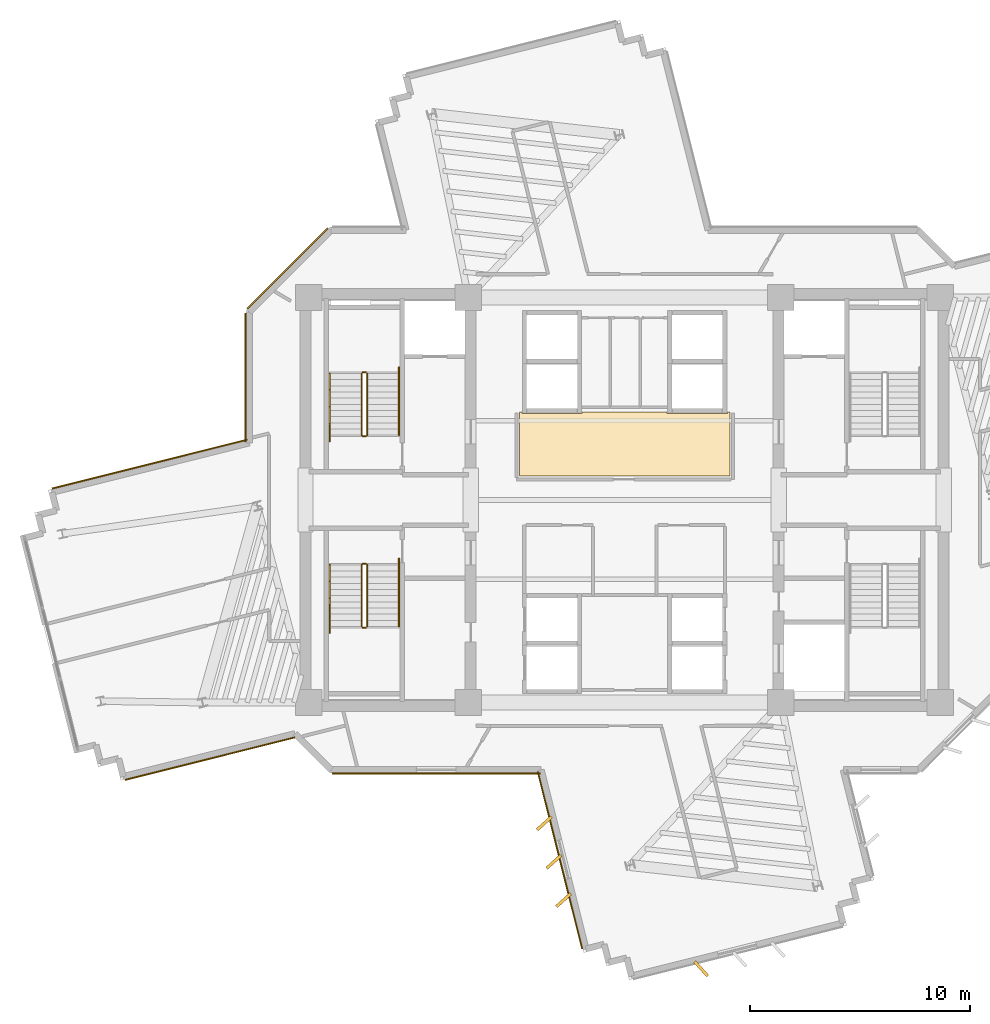
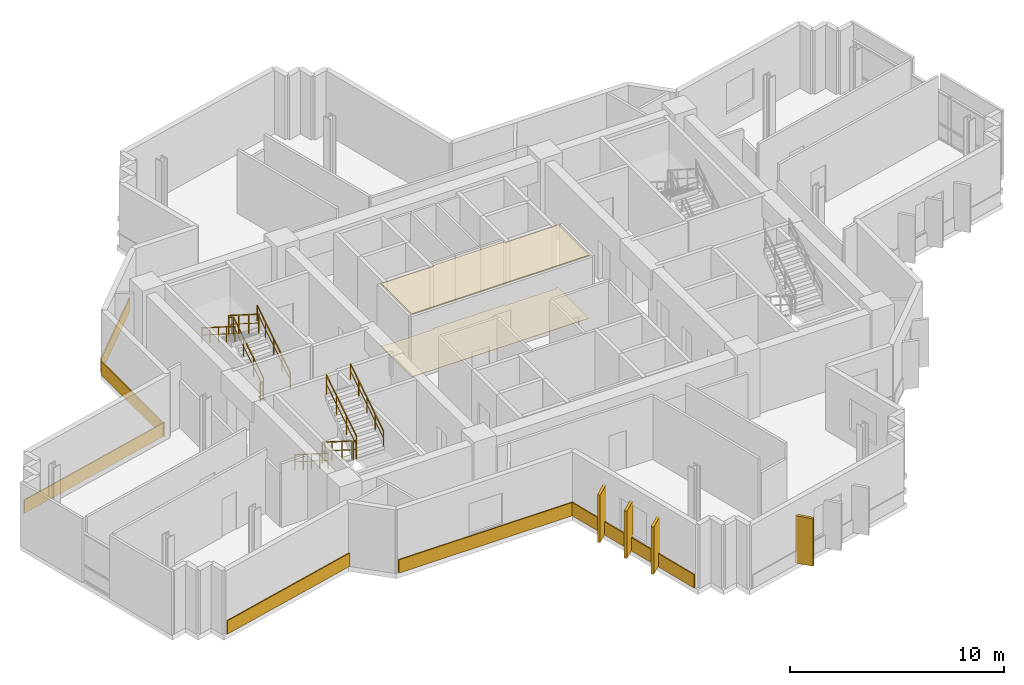
# One storey, part 11 of 13: 12 coverings, 12 railings.
"""IFC4 building model written with IfcOpenShell, lengths in metres."""

from ifc_helpers import new_model, si_unit, direction, frame, origin, origin_2d, place, context, subcontext, project, spatial, polyline, rectangle, outline, extrude, source, transform, mapped, material, layer, layer_set, type_object, element, save


model = new_model("IFC4")

# Units and contexts
model_context = context("Model", 3, precision=1e-05, world=origin(), true_north=direction((0.0, 1.0)))
body_context = subcontext(model_context, "Body", "Model", "MODEL_VIEW")
ifc_project = project(units=[si_unit("LENGTHUNIT", "METRE"), si_unit("AREAUNIT", "SQUARE_METRE"), si_unit("VOLUMEUNIT", "CUBIC_METRE"), si_unit("PLANEANGLEUNIT", "RADIAN"), si_unit("MASSUNIT", "GRAM", prefix="KILO")], contexts=[model_context])

# Site, building, storey
site_placement = place(None, origin())
site = spatial("IfcSite", under=ifc_project, at=site_placement, CompositionType="ELEMENT")
building_placement = place(site_placement, origin())
building = spatial("IfcBuilding", under=site, at=building_placement, Name="Zahravan Cultural Tower", CompositionType="ELEMENT")
storey_placement = place(building_placement, frame((0.0, 0.0, 186.300048828125)))
storey = spatial("IfcBuildingStorey", under=building, at=storey_placement, Name="L43", CompositionType="ELEMENT", Elevation=186.300048828125)

# Coverings
ifc_material_1 = material(Name="Acoustic mineral fibreboard")
ifc_layer_1 = layer(ifc_material_1, 0.0400390625)
ifc_layer_set_1 = layer_set([ifc_layer_1], Name="Acoustic mineral fibreboard")
covering_type_1 = type_object("IfcCoveringType", Name="COV-CEIL-AC20", PredefinedType="CEILING", material=ifc_layer_set_1)
covering_1_placement = place(storey_placement, frame((0.0, 0.0, 3.579833984375)))
element("IfcCovering", 1, at=covering_1_placement, inside=storey, type_object=covering_type_1, Name="L43 Acoustic Suspended Ceiling", PredefinedType="CEILING", context=body_context, shape_type="SweptSolid", body=[
    extrude(outline(polyline([(31.219970703125, 31.0), (31.219970703125, 28.080078125), (40.780029296875, 28.080078125), (40.780029296875, 31.0), (40.669921875, 31.0), (40.669921875, 30.929931640625), (37.929931640625, 30.929931640625), (37.929931640625, 31.0), (34.070068359375, 31.0), (34.070068359375, 30.929931640625), (31.330078125, 30.929931640625), (31.330078125, 31.0), (31.219970703125, 31.0)])), origin(), (0.0, 0.0, 1.0), 0.0400390625),
])
ifc_material_2 = material(Name="Terrazzo flooring")
ifc_layer_2 = layer(ifc_material_2, 0.02490234375)
ifc_layer_set_2 = layer_set([ifc_layer_2], Name="Terrazzo flooring")
covering_type_2 = type_object("IfcCoveringType", Name="COV-FLR-TZ25", PredefinedType="FLOORING", material=ifc_layer_set_2)
covering_2_placement = place(storey_placement, origin())
element("IfcCovering", 2, at=covering_2_placement, inside=storey, type_object=covering_type_2, Name="L43 Polished Terrazzo Flooring", PredefinedType="FLOORING", context=body_context, shape_type="SweptSolid", body=[
    extrude(outline(polyline([(31.219970703125, 31.0), (31.219970703125, 28.080078125), (40.780029296875, 28.080078125), (40.780029296875, 31.0), (40.669921875, 31.0), (40.669921875, 30.929931640625), (37.929931640625, 30.929931640625), (37.929931640625, 31.0), (34.070068359375, 31.0), (34.070068359375, 30.929931640625), (31.330078125, 30.929931640625), (31.330078125, 31.0), (31.219970703125, 31.0)])), origin(), (0.0, 0.0, 1.0), 0.02490234375),
])

# Railings
ifc_material_3 = material(Name="Steel ASTM A572 Grade 50", Category="steel")
railing_type_1 = type_object("IfcRailingType", Name="RL-STAIR-GRD1150", PredefinedType="BALUSTRADE", material=ifc_material_3)
railing_1_placement = place(storey_placement, frame((24.300048828125, 29.949951171875, 0.17724609375)))
element("IfcRailing", 3, at=railing_1_placement, inside=storey, type_object=railing_type_1, Name="L43 ST-W1 stair guard 1", PredefinedType="BALUSTRADE", context=body_context, shape_type="SweptSolid", body=[
    extrude(rectangle(XDim=0.05, YDim=0.05, at=origin_2d()), frame((0.0, 0.0, 1.0751953125), z_axis=(0.0, 0.844908973607, 0.534910110503), x_axis=(-1.0, 0.0, 0.0)), (0.0, 0.0, 1.0), 3.31396484375),
    extrude(rectangle(XDim=0.032, YDim=0.032, at=origin_2d()), frame((0.0, 0.0, 0.572021484375), z_axis=(0.0, 0.844908973607, 0.534910110503), x_axis=(-1.0, 0.0, 0.0)), (0.0, 0.0, 1.0), 3.31396484375),
    extrude(rectangle(XDim=0.04, YDim=0.04, at=origin_2d()), origin(), (0.0, 0.0, 1.0), 1.10009765625),
    extrude(rectangle(XDim=0.04, YDim=0.04, at=origin_2d()), frame((0.0, 0.933349609375, 0.5908203125)), (0.0, 0.0, 1.0), 1.10009765625),
    extrude(rectangle(XDim=0.04, YDim=0.04, at=origin_2d()), frame((0.0, 1.86669921875, 1.181884765625)), (0.0, 0.0, 1.0), 1.10009765625),
    extrude(rectangle(XDim=0.04, YDim=0.04, at=origin_2d()), frame((0.0, 2.800048828125, 1.772705078125)), (0.0, 0.0, 1.0), 1.10009765625),
])
railing_2_placement = place(storey_placement, frame((24.25, 32.800048828125, 1.949951171875)))
element("IfcRailing", 4, at=railing_2_placement, inside=storey, type_object=railing_type_1, Name="L43 ST-W1 stair guard 2", PredefinedType="BALUSTRADE", context=body_context, shape_type="SweptSolid", body=[
    extrude(rectangle(XDim=0.05, YDim=0.05, at=origin_2d()), frame((0.0, 0.0, 1.0751953125), z_axis=(-1.0, 0.0, 0.0), x_axis=(0.0, -1.0, 0.0)), (0.0, 0.0, 1.0), 0.14990234375),
    extrude(rectangle(XDim=0.032, YDim=0.032, at=origin_2d()), frame((0.0, 0.0, 0.572021484375), z_axis=(-1.0, 0.0, 0.0), x_axis=(0.0, -1.0, 0.0)), (0.0, 0.0, 1.0), 0.14990234375),
    extrude(rectangle(XDim=0.04, YDim=0.04, at=origin_2d()), origin(), (0.0, 0.0, 1.0), 1.10009765625),
    extrude(rectangle(XDim=0.04, YDim=0.04, at=origin_2d()), frame((-0.14990234375, 0.0, 0.0)), (0.0, 0.0, 1.0), 1.10009765625),
])
railing_3_placement = place(storey_placement, frame((24.050048828125, 32.75, 2.127197265625)))
element("IfcRailing", 5, at=railing_3_placement, inside=storey, type_object=railing_type_1, Name="L43 ST-W1 stair guard 3", PredefinedType="BALUSTRADE", context=body_context, shape_type="SweptSolid", body=[
    extrude(rectangle(XDim=0.05, YDim=0.05, at=origin_2d()), frame((0.0, 0.0, 1.0751953125), z_axis=(0.0, -0.844908973607, 0.534910110503), x_axis=(1.0, 0.0, 0.0)), (0.0, 0.0, 1.0), 3.31396484375),
    extrude(rectangle(XDim=0.032, YDim=0.032, at=origin_2d()), frame((0.0, 0.0, 0.572021484375), z_axis=(0.0, -0.844908973607, 0.534910110503), x_axis=(1.0, 0.0, 0.0)), (0.0, 0.0, 1.0), 3.31396484375),
    extrude(rectangle(XDim=0.04, YDim=0.04, at=origin_2d()), origin(), (0.0, 0.0, 1.0), 1.10009765625),
    extrude(rectangle(XDim=0.04, YDim=0.04, at=origin_2d()), frame((0.0, -0.933349609375, 0.5908203125)), (0.0, 0.0, 1.0), 1.10009765625),
    extrude(rectangle(XDim=0.04, YDim=0.04, at=origin_2d()), frame((0.0, -1.86669921875, 1.181884765625)), (0.0, 0.0, 1.0), 1.10009765625),
    extrude(rectangle(XDim=0.04, YDim=0.04, at=origin_2d()), frame((0.0, -2.800048828125, 1.772705078125)), (0.0, 0.0, 1.0), 1.10009765625),
])
railing_4_placement = place(storey_placement, frame((24.25, 29.89990234375, 0.0)))
element("IfcRailing", 6, at=railing_4_placement, inside=storey, type_object=railing_type_1, Name="L43 ST-W1 stair guard 4", PredefinedType="BALUSTRADE", context=body_context, shape_type="SweptSolid", body=[
    extrude(rectangle(XDim=0.05, YDim=0.05, at=origin_2d()), frame((0.0, 0.0, 1.0751953125), z_axis=(-1.0, 0.0, 0.0), x_axis=(0.0, -1.0, 0.0)), (0.0, 0.0, 1.0), 0.14990234375),
    extrude(rectangle(XDim=0.032, YDim=0.032, at=origin_2d()), frame((0.0, 0.0, 0.572021484375), z_axis=(-1.0, 0.0, 0.0), x_axis=(0.0, -1.0, 0.0)), (0.0, 0.0, 1.0), 0.14990234375),
    extrude(rectangle(XDim=0.04, YDim=0.04, at=origin_2d()), origin(), (0.0, 0.0, 1.0), 1.10009765625),
    extrude(rectangle(XDim=0.04, YDim=0.04, at=origin_2d()), frame((-0.14990234375, 0.0, 0.0)), (0.0, 0.0, 1.0), 1.10009765625),
])
railing_5_placement = place(storey_placement, frame((24.050048828125, 24.050048828125, 0.17724609375)))
element("IfcRailing", 7, at=railing_5_placement, inside=storey, type_object=railing_type_1, Name="L43 ST-W2 stair guard 1", PredefinedType="BALUSTRADE", context=body_context, shape_type="SweptSolid", body=[
    extrude(rectangle(XDim=0.05, YDim=0.05, at=origin_2d()), frame((0.0, 0.0, 1.0751953125), z_axis=(0.0, -0.844908973607, 0.534910110503), x_axis=(1.0, 0.0, 0.0)), (0.0, 0.0, 1.0), 3.31396484375),
    extrude(rectangle(XDim=0.032, YDim=0.032, at=origin_2d()), frame((0.0, 0.0, 0.572021484375), z_axis=(0.0, -0.844908973607, 0.534910110503), x_axis=(1.0, 0.0, 0.0)), (0.0, 0.0, 1.0), 3.31396484375),
    extrude(rectangle(XDim=0.04, YDim=0.04, at=origin_2d()), origin(), (0.0, 0.0, 1.0), 1.10009765625),
    extrude(rectangle(XDim=0.04, YDim=0.04, at=origin_2d()), frame((0.0, -0.933349609375, 0.5908203125)), (0.0, 0.0, 1.0), 1.10009765625),
    extrude(rectangle(XDim=0.04, YDim=0.04, at=origin_2d()), frame((0.0, -1.86669921875, 1.181884765625)), (0.0, 0.0, 1.0), 1.10009765625),
    extrude(rectangle(XDim=0.04, YDim=0.04, at=origin_2d()), frame((0.0, -2.800048828125, 1.772705078125)), (0.0, 0.0, 1.0), 1.10009765625),
])
railing_6_placement = place(storey_placement, frame((24.10009765625, 21.199951171875, 1.949951171875)))
element("IfcRailing", 8, at=railing_6_placement, inside=storey, type_object=railing_type_1, Name="L43 ST-W2 stair guard 2", PredefinedType="BALUSTRADE", context=body_context, shape_type="SweptSolid", body=[
    extrude(rectangle(XDim=0.05, YDim=0.05, at=origin_2d()), frame((0.0, 0.0, 1.0751953125), z_axis=(1.0, 0.0, 0.0), x_axis=(0.0, 1.0, 0.0)), (0.0, 0.0, 1.0), 0.14990234375),
    extrude(rectangle(XDim=0.032, YDim=0.032, at=origin_2d()), frame((0.0, 0.0, 0.572021484375), z_axis=(1.0, 0.0, 0.0), x_axis=(0.0, 1.0, 0.0)), (0.0, 0.0, 1.0), 0.14990234375),
    extrude(rectangle(XDim=0.04, YDim=0.04, at=origin_2d()), origin(), (0.0, 0.0, 1.0), 1.10009765625),
    extrude(rectangle(XDim=0.04, YDim=0.04, at=origin_2d()), frame((0.14990234375, 0.0, 0.0)), (0.0, 0.0, 1.0), 1.10009765625),
])
railing_7_placement = place(storey_placement, frame((24.300048828125, 21.25, 2.127197265625)))
element("IfcRailing", 9, at=railing_7_placement, inside=storey, type_object=railing_type_1, Name="L43 ST-W2 stair guard 3", PredefinedType="BALUSTRADE", context=body_context, shape_type="SweptSolid", body=[
    extrude(rectangle(XDim=0.05, YDim=0.05, at=origin_2d()), frame((0.0, 0.0, 1.0751953125), z_axis=(0.0, 0.844908973607, 0.534910110503), x_axis=(-1.0, 0.0, 0.0)), (0.0, 0.0, 1.0), 3.31396484375),
    extrude(rectangle(XDim=0.032, YDim=0.032, at=origin_2d()), frame((0.0, 0.0, 0.572021484375), z_axis=(0.0, 0.844908973607, 0.534910110503), x_axis=(-1.0, 0.0, 0.0)), (0.0, 0.0, 1.0), 3.31396484375),
    extrude(rectangle(XDim=0.04, YDim=0.04, at=origin_2d()), origin(), (0.0, 0.0, 1.0), 1.10009765625),
    extrude(rectangle(XDim=0.04, YDim=0.04, at=origin_2d()), frame((0.0, 0.933349609375, 0.5908203125)), (0.0, 0.0, 1.0), 1.10009765625),
    extrude(rectangle(XDim=0.04, YDim=0.04, at=origin_2d()), frame((0.0, 1.86669921875, 1.181884765625)), (0.0, 0.0, 1.0), 1.10009765625),
    extrude(rectangle(XDim=0.04, YDim=0.04, at=origin_2d()), frame((0.0, 2.800048828125, 1.772705078125)), (0.0, 0.0, 1.0), 1.10009765625),
])
railing_8_placement = place(storey_placement, frame((24.10009765625, 24.10009765625, 0.0)))
element("IfcRailing", 10, at=railing_8_placement, inside=storey, type_object=railing_type_1, Name="L43 ST-W2 stair guard 4", PredefinedType="BALUSTRADE", context=body_context, shape_type="SweptSolid", body=[
    extrude(rectangle(XDim=0.05, YDim=0.05, at=origin_2d()), frame((0.0, 0.0, 1.0751953125), z_axis=(1.0, 0.0, 0.0), x_axis=(0.0, 1.0, 0.0)), (0.0, 0.0, 1.0), 0.14990234375),
    extrude(rectangle(XDim=0.032, YDim=0.032, at=origin_2d()), frame((0.0, 0.0, 0.572021484375), z_axis=(1.0, 0.0, 0.0), x_axis=(0.0, 1.0, 0.0)), (0.0, 0.0, 1.0), 0.14990234375),
    extrude(rectangle(XDim=0.04, YDim=0.04, at=origin_2d()), origin(), (0.0, 0.0, 1.0), 1.10009765625),
    extrude(rectangle(XDim=0.04, YDim=0.04, at=origin_2d()), frame((0.14990234375, 0.0, 0.0)), (0.0, 0.0, 1.0), 1.10009765625),
])
railing_type_2 = type_object("IfcRailingType", Name="RL-STAIR-HR900", PredefinedType="HANDRAIL", material=ifc_material_3)
railing_9_placement = place(storey_placement, frame((25.75, 29.949951171875, 0.17724609375)))
element("IfcRailing", 11, at=railing_9_placement, inside=storey, type_object=railing_type_2, Name="L43 ST-W1 stair handrail 1", PredefinedType="HANDRAIL", context=body_context, shape_type="SweptSolid", body=[
    extrude(rectangle(XDim=0.05, YDim=0.05, at=origin_2d()), frame((0.0, 0.0, 0.875), z_axis=(0.0, 0.844913916606, 0.534902302785), x_axis=(-1.0, 0.0, 0.0)), (0.0, 0.0, 1.0), 3.6455078125),
    extrude(rectangle(XDim=0.032, YDim=0.032, at=origin_2d()), frame((0.0, 0.0, 0.468017578125), z_axis=(0.0, 0.844913916606, 0.534902302785), x_axis=(-1.0, 0.0, 0.0)), (0.0, 0.0, 1.0), 3.6455078125),
    extrude(rectangle(XDim=0.04, YDim=0.04, at=origin_2d()), origin(), (0.0, 0.0, 1.0), 0.89990234375),
    extrude(rectangle(XDim=0.04, YDim=0.04, at=origin_2d()), frame((0.0, 0.77001953125, 0.487548828125)), (0.0, 0.0, 1.0), 0.89990234375),
    extrude(rectangle(XDim=0.04, YDim=0.04, at=origin_2d()), frame((0.0, 1.5400390625, 0.97509765625)), (0.0, 0.0, 1.0), 0.89990234375),
    extrude(rectangle(XDim=0.04, YDim=0.04, at=origin_2d()), frame((0.0, 2.31005859375, 1.46240234375)), (0.0, 0.0, 1.0), 0.89990234375),
    extrude(rectangle(XDim=0.04, YDim=0.04, at=origin_2d()), frame((0.0, 3.080078125, 1.949951171875)), (0.0, 0.0, 1.0), 0.89990234375),
])
for number, where, name in (
    (12, (22.60009765625, 32.75, 2.127197265625), "L43 ST-W1 stair handrail 2"),
    (13, (22.60009765625, 24.050048828125, 0.17724609375), "L43 ST-W2 stair handrail 1"),
):
    element("IfcRailing", number, at=place(storey_placement, frame(where)), inside=storey, type_object=railing_type_2, Name=name, PredefinedType="HANDRAIL", context=body_context, shape_type="SweptSolid", body=[
        extrude(rectangle(XDim=0.05, YDim=0.05, at=origin_2d()), frame((0.0, 0.0, 0.875), z_axis=(0.0, -0.844913916606, 0.534902302785), x_axis=(1.0, 0.0, 0.0)), (0.0, 0.0, 1.0), 3.6455078125),
        extrude(rectangle(XDim=0.032, YDim=0.032, at=origin_2d()), frame((0.0, 0.0, 0.468017578125), z_axis=(0.0, -0.844913916606, 0.534902302785), x_axis=(1.0, 0.0, 0.0)), (0.0, 0.0, 1.0), 3.6455078125),
        extrude(rectangle(XDim=0.04, YDim=0.04, at=origin_2d()), origin(), (0.0, 0.0, 1.0), 0.89990234375),
        extrude(rectangle(XDim=0.04, YDim=0.04, at=origin_2d()), frame((0.0, -0.77001953125, 0.487548828125)), (0.0, 0.0, 1.0), 0.89990234375),
        extrude(rectangle(XDim=0.04, YDim=0.04, at=origin_2d()), frame((0.0, -1.5400390625, 0.97509765625)), (0.0, 0.0, 1.0), 0.89990234375),
        extrude(rectangle(XDim=0.04, YDim=0.04, at=origin_2d()), frame((0.0, -2.31005859375, 1.46240234375)), (0.0, 0.0, 1.0), 0.89990234375),
        extrude(rectangle(XDim=0.04, YDim=0.04, at=origin_2d()), frame((0.0, -3.080078125, 1.949951171875)), (0.0, 0.0, 1.0), 0.89990234375),
    ])
railing_10_placement = place(storey_placement, frame((25.75, 21.25, 2.127197265625)))
element("IfcRailing", 14, at=railing_10_placement, inside=storey, type_object=railing_type_2, Name="L43 ST-W2 stair handrail 2", PredefinedType="HANDRAIL", context=body_context, shape_type="SweptSolid", body=[
    extrude(rectangle(XDim=0.05, YDim=0.05, at=origin_2d()), frame((0.0, 0.0, 0.875), z_axis=(0.0, 0.844913916606, 0.534902302785), x_axis=(-1.0, 0.0, 0.0)), (0.0, 0.0, 1.0), 3.6455078125),
    extrude(rectangle(XDim=0.032, YDim=0.032, at=origin_2d()), frame((0.0, 0.0, 0.468017578125), z_axis=(0.0, 0.844913916606, 0.534902302785), x_axis=(-1.0, 0.0, 0.0)), (0.0, 0.0, 1.0), 3.6455078125),
    extrude(rectangle(XDim=0.04, YDim=0.04, at=origin_2d()), origin(), (0.0, 0.0, 1.0), 0.89990234375),
    extrude(rectangle(XDim=0.04, YDim=0.04, at=origin_2d()), frame((0.0, 0.77001953125, 0.487548828125)), (0.0, 0.0, 1.0), 0.89990234375),
    extrude(rectangle(XDim=0.04, YDim=0.04, at=origin_2d()), frame((0.0, 1.5400390625, 0.97509765625)), (0.0, 0.0, 1.0), 0.89990234375),
    extrude(rectangle(XDim=0.04, YDim=0.04, at=origin_2d()), frame((0.0, 2.31005859375, 1.46240234375)), (0.0, 0.0, 1.0), 0.89990234375),
    extrude(rectangle(XDim=0.04, YDim=0.04, at=origin_2d()), frame((0.0, 3.080078125, 1.949951171875)), (0.0, 0.0, 1.0), 0.89990234375),
])

# Coverings
ifc_material_4 = material(Name="Terracotta ceramic cladding", Category="masonry")
ifc_layer_3 = layer(ifc_material_4, 0.06005859375)
ifc_layer_set_3 = layer_set([ifc_layer_3], Name="Terracotta ceramic cladding")
covering_type_3 = type_object("IfcCoveringType", Name="COV-CLAD-TC60", PredefinedType="CLADDING", material=ifc_layer_set_3)
shared_shape_1 = source(origin(), body_context, "Body", "SweptSolid", [
    extrude(rectangle(XDim=5.157958984375, YDim=0.06005859375, at=origin_2d()), origin(), (0.0, 0.0, 1.0), 0.760009765625),
])
covering_3_placement = place(storey_placement, frame((20.682373046875, 37.517578125, 0.02001953125), z_axis=(0.0, 0.0, 1.0), x_axis=(0.707106781187, 0.707106781187, 0.0)))
element("IfcCovering", 15, at=covering_3_placement, inside=storey, type_object=covering_type_3, Name="L43 Terracotta Spandrel Cladding 38", PredefinedType="CLADDING", context=body_context, shape_type="MappedRepresentation", body=[
    mapped(shared_shape_1, transform((0.0, 0.0, 0.0), x_axis=(1.0, 0.0, 0.0), y_axis=(0.0, 1.0, 0.0), z_axis=(0.0, 0.0, 1.0), scale=1.0)),
])
shared_shape_2 = source(origin(), body_context, "Body", "SweptSolid", [
    extrude(rectangle(XDim=0.8798828125, YDim=0.139892578125, at=origin_2d()), origin(), (0.0, 0.0, 1.0), 2.699951171875),
])
for number, where, z_axis, x_axis, name in (
    (16, (39.4794921875, 5.697021484375, 0.0498046875), (0.0, 0.0, 1.0), (0.669908458766, -0.742443706198, 0.0), "L43 Herringbone Terracotta Fin 15"),
    (17, (33.224609375, 8.815673828125, 0.0498046875), (0.0, 0.0, 1.0), (-0.742455398194, -0.669895500577, 0.0), "L43 Herringbone Terracotta Fin 16"),
    (18, (32.787353515625, 10.561767578125, 0.0498046875), (0.0, 0.0, 1.0), (-0.742455398194, -0.669895500577, 0.0), "L43 Herringbone Terracotta Fin 17"),
    (19, (32.35009765625, 12.307861328125, 0.0498046875), (0.0, 0.0, 1.0), (-0.742455398194, -0.669895500577, 0.0), "L43 Herringbone Terracotta Fin 18"),
):
    element("IfcCovering", number, at=place(storey_placement, frame(where, z_axis=z_axis, x_axis=x_axis)), inside=storey, type_object=covering_type_3, Name=name, PredefinedType="CLADDING", context=body_context, shape_type="MappedRepresentation", body=[
        mapped(shared_shape_2, transform((0.0, 0.0, 0.0), x_axis=(1.0, 0.0, 0.0), y_axis=(0.0, 1.0, 0.0), z_axis=(0.0, 0.0, 1.0), scale=1.0)),
    ])
shared_shape_3 = source(origin(), body_context, "Body", "SweptSolid", [
    extrude(rectangle(XDim=7.945556640625, YDim=0.06005859375, at=origin_2d()), origin(), (0.0, 0.0, 1.0), 0.760009765625),
])
covering_4_placement = place(storey_placement, frame((17.154052734375, 15.244384765625, 0.02001953125), z_axis=(0.0, 0.0, 1.0), x_axis=(-0.970041854282, -0.242937854074, 0.0)))
element("IfcCovering", 20, at=covering_4_placement, inside=storey, type_object=covering_type_3, Name="L43 Terracotta Spandrel Cladding 27", PredefinedType="CLADDING", context=body_context, shape_type="MappedRepresentation", body=[
    mapped(shared_shape_3, transform((0.0, 0.0, 0.0), x_axis=(1.0, 0.0, 0.0), y_axis=(0.0, 1.0, 0.0), z_axis=(0.0, 0.0, 1.0), scale=1.0)),
])
shared_shape_4 = source(origin(), body_context, "Body", "SweptSolid", [
    extrude(rectangle(XDim=9.14111328125, YDim=0.06005859375, at=origin_2d()), origin(), (0.0, 0.0, 1.0), 0.760009765625),
])
covering_5_placement = place(storey_placement, frame((14.417724609375, 28.630615234375, 0.02001953125), z_axis=(0.0, 0.0, 1.0), x_axis=(0.970046094199, 0.242920923613, 0.0)))
element("IfcCovering", 21, at=covering_5_placement, inside=storey, type_object=covering_type_3, Name="L43 Terracotta Spandrel Cladding 36", PredefinedType="CLADDING", context=body_context, shape_type="MappedRepresentation", body=[
    mapped(shared_shape_4, transform((0.0, 0.0, 0.0), x_axis=(1.0, 0.0, 0.0), y_axis=(0.0, 1.0, 0.0), z_axis=(0.0, 0.0, 1.0), scale=1.0)),
])
shared_shape_5 = source(origin(), body_context, "Body", "SweptSolid", [
    extrude(rectangle(XDim=5.848876953125, YDim=0.06005859375, at=origin_2d()), origin(), (0.0, 0.0, 1.0), 0.760009765625),
])
covering_6_placement = place(storey_placement, frame((18.77490234375, 32.5673828125, 0.02001953125), z_axis=(0.0, 0.0, 1.0), x_axis=(0.0, 1.0, 0.0)))
element("IfcCovering", 22, at=covering_6_placement, inside=storey, type_object=covering_type_3, Name="L43 Terracotta Spandrel Cladding 37", PredefinedType="CLADDING", context=body_context, shape_type="MappedRepresentation", body=[
    mapped(shared_shape_5, transform((0.0, 0.0, 0.0), x_axis=(1.0, 0.0, 0.0), y_axis=(0.0, 1.0, 0.0), z_axis=(0.0, 0.0, 1.0), scale=1.0)),
])
shared_shape_6 = source(origin(), body_context, "Body", "SweptSolid", [
    extrude(rectangle(XDim=8.289306640625, YDim=0.06005859375, at=origin_2d()), origin(), (0.0, 0.0, 1.0), 0.760009765625),
])
covering_7_placement = place(storey_placement, frame((33.063720703125, 10.630859375, 0.02001953125), z_axis=(0.0, 0.0, 1.0), x_axis=(-0.242920923613, 0.970046094199, 0.0)))
element("IfcCovering", 23, at=covering_7_placement, inside=storey, type_object=covering_type_3, Name="L43 Terracotta Spandrel Cladding 24", PredefinedType="CLADDING", context=body_context, shape_type="MappedRepresentation", body=[
    mapped(shared_shape_6, transform((0.0, 0.0, 0.0), x_axis=(1.0, 0.0, 0.0), y_axis=(0.0, 1.0, 0.0), z_axis=(0.0, 0.0, 1.0), scale=1.0)),
])
shared_shape_7 = source(origin(), body_context, "Body", "SweptSolid", [
    extrude(rectangle(XDim=9.44677734375, YDim=0.06005859375, at=origin_2d()), origin(), (0.0, 0.0, 1.0), 0.760009765625),
])
covering_8_placement = place(storey_placement, frame((27.431396484375, 14.574951171875, 0.02001953125), z_axis=(0.0, 0.0, 1.0), x_axis=(-1.0, 0.0, 0.0)))
element("IfcCovering", 24, at=covering_8_placement, inside=storey, type_object=covering_type_3, Name="L43 Terracotta Spandrel Cladding 25", PredefinedType="CLADDING", context=body_context, shape_type="MappedRepresentation", body=[
    mapped(shared_shape_7, transform((0.0, 0.0, 0.0), x_axis=(1.0, 0.0, 0.0), y_axis=(0.0, 1.0, 0.0), z_axis=(0.0, 0.0, 1.0), scale=1.0)),
])

save(model, "model.ifc")
